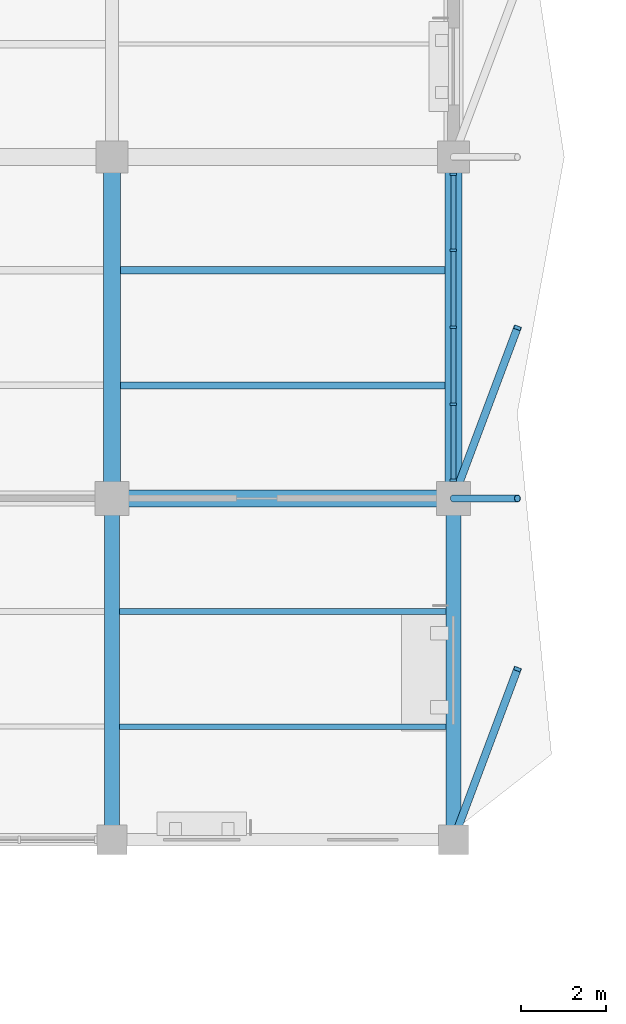
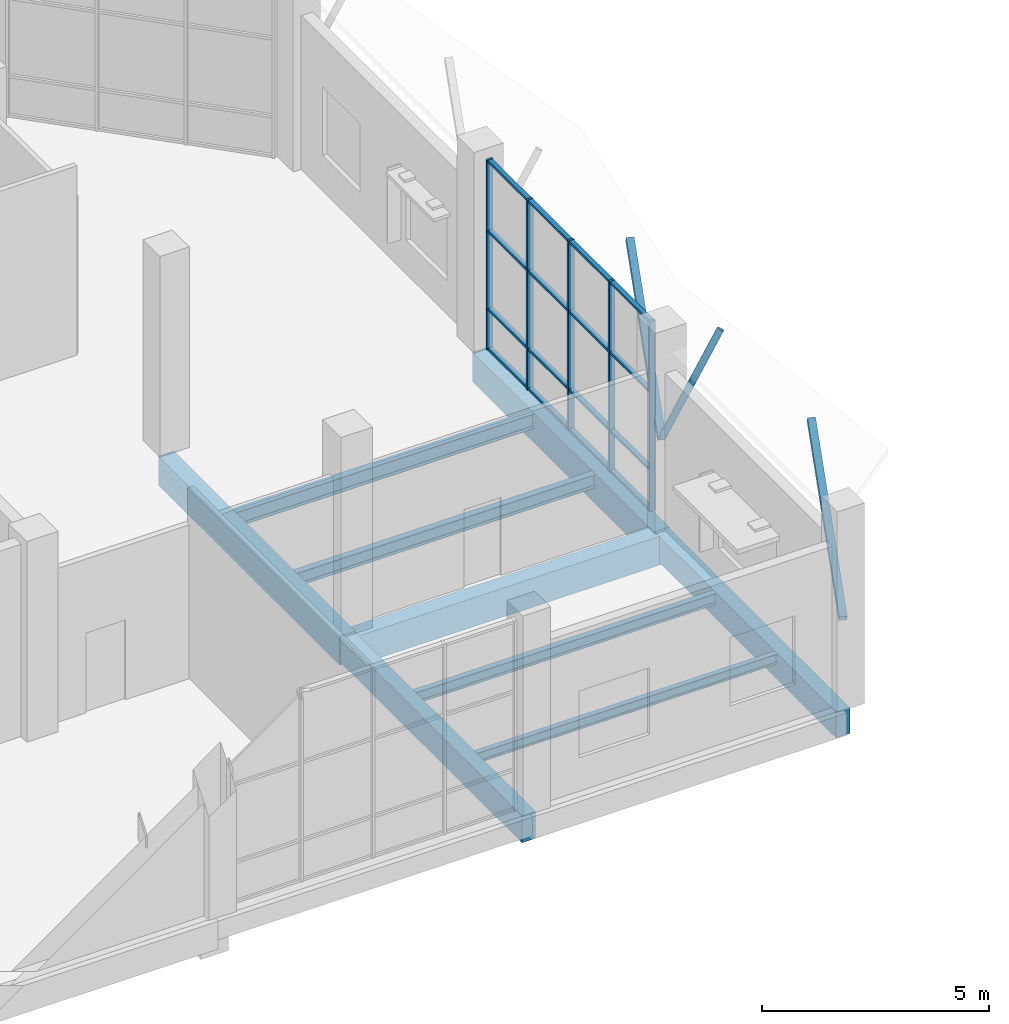
# One storey, part 41 of 122: 24 members, 9 beams, 1 element without a shape of its own.
"""IFC4 building model written with IfcOpenShell, lengths in metres."""

from ifc_helpers import new_model, si_unit, direction, frame, origin, origin_2d, place, context, subcontext, project, spatial, rectangle, hollow_rectangle, hollow_circle, i_section, extrude, material, material_profile, profile_set, type_object, element, aggregate, save


model = new_model("IFC4")

# Units and contexts
model_context = context("Model", 3, precision=1e-05, world=origin(), true_north=direction((0.0, 1.0)))
body_context = subcontext(model_context, "Body", "Model", "MODEL_VIEW")
ifc_project = project(units=[si_unit("LENGTHUNIT", "METRE"), si_unit("AREAUNIT", "SQUARE_METRE"), si_unit("VOLUMEUNIT", "CUBIC_METRE"), si_unit("PLANEANGLEUNIT", "RADIAN"), si_unit("MASSUNIT", "GRAM", prefix="KILO")], contexts=[model_context])

# Site, building, storey
site_placement = place(None, origin())
site = spatial("IfcSite", under=ifc_project, at=site_placement, CompositionType="ELEMENT")
building_placement = place(site_placement, origin())
building = spatial("IfcBuilding", under=site, at=building_placement, Name="Tenunan Teduh Sports Hall", CompositionType="ELEMENT")
storey_placement = place(building_placement, frame((0.0, 0.0, 5.39990234375)))
storey = spatial("IfcBuildingStorey", under=building, at=storey_placement, Name="L01", CompositionType="ELEMENT", Elevation=5.39990234375)

# Beams
ifc_material_1 = material(Name="Concrete C40/50", Category="concrete")
ifc_material_profile_1 = material_profile(ifc_material_1, rectangle(XDim=0.35009765625, YDim=0.699951171875, at=origin_2d()), Name="RCB 350x700")
ifc_profile_set_1 = profile_set([ifc_material_profile_1], Name="Concrete C40/50")
beam_type_1 = type_object("IfcBeamType", Name="BM-RC-350x700", PredefinedType="BEAM", material=ifc_profile_set_1)
beam_1_placement = place(storey_placement, frame((78.0, 86.0, -0.60986328125), z_axis=(0.0, 1.0, 0.0), x_axis=(-1.0, 0.0, 0.0)))
element("IfcBeam", 1, at=beam_1_placement, inside=storey, type_object=beam_type_1, Name="BM-B-06-L01-1243", PredefinedType="BEAM", context=body_context, shape_type="SweptSolid", body=[
    extrude(rectangle(XDim=0.35009765625, YDim=0.699951171875, at=origin_2d()), origin(), (0.0, 0.0, 1.0), 8.0),
])
ifc_material_2 = material(Name="Concrete C40/50", Category="concrete")
ifc_material_profile_2 = material_profile(ifc_material_2, rectangle(XDim=0.39990234375, YDim=0.800048828125, at=origin_2d()), Name="RCB 400x800")
ifc_profile_set_2 = profile_set([ifc_material_profile_2], Name="Concrete C40/50")
beam_type_2 = type_object("IfcBeamType", Name="BM-RC-400x800", PredefinedType="BEAM", material=ifc_profile_set_2)
beam_2_placement = place(storey_placement, frame((78.0, 94.0, -0.659912109375), z_axis=(0.0, 1.0, 0.0), x_axis=(-1.0, 0.0, 0.0)))
element("IfcBeam", 2, at=beam_2_placement, inside=storey, type_object=beam_type_2, Name="BM-B-10-L01-1244", PredefinedType="BEAM", context=body_context, shape_type="SweptSolid", body=[
    extrude(rectangle(XDim=0.39990234375, YDim=0.800048828125, at=origin_2d()), origin(), (0.0, 0.0, 1.0), 8.0),
])
ifc_material_3 = material(Name="Concrete C40/50", Category="concrete")
ifc_material_profile_3 = material_profile(ifc_material_3, rectangle(XDim=0.35009765625, YDim=0.719970703125, at=origin_2d()), Name="TB 350x720")
ifc_profile_set_3 = profile_set([ifc_material_profile_3], Name="Concrete C40/50")
beam_type_3 = type_object("IfcBeamType", Name="BM-TB-350x720", PredefinedType="T_BEAM", material=ifc_profile_set_3)
beam_3_placement = place(storey_placement, frame((70.0, 86.0, -0.619873046875), z_axis=(0.0, 1.0, 0.0), x_axis=(-1.0, 0.0, 0.0)))
element("IfcBeam", 3, at=beam_3_placement, inside=storey, type_object=beam_type_3, Name="BM-TB-01-L01-1235", PredefinedType="T_BEAM", context=body_context, shape_type="SweptSolid", body=[
    extrude(rectangle(XDim=0.35009765625, YDim=0.719970703125, at=origin_2d()), origin(), (0.0, 0.0, 1.0), 8.0),
])
ifc_material_4 = material(Name="Concrete C40/50", Category="concrete")
ifc_material_profile_4 = material_profile(ifc_material_4, rectangle(XDim=0.39990234375, YDim=0.780029296875, at=origin_2d()), Name="TB 400x780")
ifc_profile_set_4 = profile_set([ifc_material_profile_4], Name="Concrete C40/50")
beam_type_4 = type_object("IfcBeamType", Name="BM-TB-400x780", PredefinedType="T_BEAM", material=ifc_profile_set_4)
for number, where, z_axis, x_axis, name in (
    (4, (70.0, 94.0, -0.64990234375), (1.0, 0.0, 0.0), (0.0, 1.0, 0.0), "BM-TB-02-L01-1129"),
    (5, (70.0, 94.0, -0.64990234375), (0.0, 1.0, 0.0), (-1.0, 0.0, 0.0), "BM-TB-02-L01-1236"),
):
    element("IfcBeam", number, at=place(storey_placement, frame(where, z_axis=z_axis, x_axis=x_axis)), inside=storey, type_object=beam_type_4, Name=name, PredefinedType="T_BEAM", context=body_context, shape_type="SweptSolid", body=[
        extrude(rectangle(XDim=0.39990234375, YDim=0.780029296875, at=origin_2d()), origin(), (0.0, 0.0, 1.0), 8.0),
    ])

# Curtain wall, members
ifc_material_5 = material(Name="Anodised aluminium", Category="aluminium")
curtain_wall_type = type_object("IfcCurtainWallType", Name="CW-UNIT-1", PredefinedType="NOTDEFINED", material=ifc_material_5)
curtain_wall_placement = place(storey_placement, origin())
curtain_wall = element("IfcCurtainWall", 6, at=curtain_wall_placement, inside=storey, type_object=curtain_wall_type, Name="CW-CWM-150-L01-203", PredefinedType="NOTDEFINED")
ifc_material_6 = material(Name="Anodised aluminium", Category="aluminium")
ifc_material_profile_5 = material_profile(ifc_material_6, rectangle(XDim=0.06005859375, YDim=0.14990234375, at=origin_2d()), Name="CWM 60x150")
ifc_profile_set_5 = profile_set([ifc_material_profile_5], Name="Anodised aluminium")
member_type_1 = type_object("IfcMemberType", Name="CWM-150", PredefinedType="MULLION", material=ifc_profile_set_5)
member_1_placement = place(storey_placement, frame((78.0, 94.429931640625, 0.0), z_axis=(0.0, 0.0, 1.0), x_axis=(0.0, 1.0, 0.0)))
member_1 = element("IfcMember", 7, at=member_1_placement, type_object=member_type_1, Name="CW-01 mullion 1", PredefinedType="MULLION", context=body_context, shape_type="SweptSolid", body=[
    extrude(rectangle(XDim=0.06005859375, YDim=0.14990234375, at=origin_2d()), origin(), (0.0, 0.0, 1.0), 5.1201171875),
])
member_2_placement = place(storey_placement, frame((78.0, 96.206298828125, 0.0), z_axis=(0.0, 0.0, 1.0), x_axis=(0.0, 1.0, 0.0)))
member_2 = element("IfcMember", 8, at=member_2_placement, type_object=member_type_1, Name="CW-01 mullion 2", PredefinedType="MULLION", context=body_context, shape_type="SweptSolid", body=[
    extrude(rectangle(XDim=0.06005859375, YDim=0.14990234375, at=origin_2d()), origin(), (0.0, 0.0, 1.0), 5.1201171875),
])
member_3_placement = place(storey_placement, frame((78.0, 98.012451171875, 0.0), z_axis=(0.0, 0.0, 1.0), x_axis=(0.0, 1.0, 0.0)))
member_3 = element("IfcMember", 9, at=member_3_placement, type_object=member_type_1, Name="CW-01 mullion 3", PredefinedType="MULLION", context=body_context, shape_type="SweptSolid", body=[
    extrude(rectangle(XDim=0.06005859375, YDim=0.14990234375, at=origin_2d()), origin(), (0.0, 0.0, 1.0), 5.1201171875),
])
member_4_placement = place(storey_placement, frame((78.0, 99.81884765625, 0.0), z_axis=(0.0, 0.0, 1.0), x_axis=(0.0, 1.0, 0.0)))
member_4 = element("IfcMember", 10, at=member_4_placement, type_object=member_type_1, Name="CW-01 mullion 4", PredefinedType="MULLION", context=body_context, shape_type="SweptSolid", body=[
    extrude(rectangle(XDim=0.06005859375, YDim=0.14990234375, at=origin_2d()), origin(), (0.0, 0.0, 1.0), 5.1201171875),
])
member_5_placement = place(storey_placement, frame((78.0, 101.594970703125, 0.0), z_axis=(0.0, 0.0, 1.0), x_axis=(0.0, 1.0, 0.0)))
member_5 = element("IfcMember", 11, at=member_5_placement, type_object=member_type_1, Name="CW-01 mullion 5", PredefinedType="MULLION", context=body_context, shape_type="SweptSolid", body=[
    extrude(rectangle(XDim=0.06005859375, YDim=0.14990234375, at=origin_2d()), origin(), (0.0, 0.0, 1.0), 5.1201171875),
])
ifc_material_7 = material(Name="Anodised aluminium", Category="aluminium")
ifc_material_profile_6 = material_profile(ifc_material_7, rectangle(XDim=0.06005859375, YDim=0.1201171875, at=origin_2d()), Name="CWT 60x120")
ifc_profile_set_6 = profile_set([ifc_material_profile_6], Name="Anodised aluminium")
member_type_2 = type_object("IfcMemberType", Name="CWT-125", PredefinedType="USERDEFINED", material=ifc_profile_set_6)
member_6_placement = place(storey_placement, frame((78.0, 94.4599609375, 0.030029296875), z_axis=(0.0, 1.0, 0.0), x_axis=(0.0, 0.0, 1.0)))
member_6 = element("IfcMember", 12, at=member_6_placement, type_object=member_type_2, Name="CW-01 transom 1.1", ObjectType="TRANSOM", PredefinedType="USERDEFINED", context=body_context, shape_type="SweptSolid", body=[
    extrude(rectangle(XDim=0.06005859375, YDim=0.1201171875, at=origin_2d()), origin(), (0.0, 0.0, 1.0), 1.71630859375),
])
member_7_placement = place(storey_placement, frame((78.0, 94.4599609375, 1.10009765625), z_axis=(0.0, 1.0, 0.0), x_axis=(0.0, 0.0, 1.0)))
member_7 = element("IfcMember", 13, at=member_7_placement, type_object=member_type_2, Name="CW-01 transom 1.2", ObjectType="TRANSOM", PredefinedType="USERDEFINED", context=body_context, shape_type="SweptSolid", body=[
    extrude(rectangle(XDim=0.06005859375, YDim=0.1201171875, at=origin_2d()), origin(), (0.0, 0.0, 1.0), 1.71630859375),
])
member_8_placement = place(storey_placement, frame((78.0, 94.4599609375, 3.2001953125), z_axis=(0.0, 1.0, 0.0), x_axis=(0.0, 0.0, 1.0)))
member_8 = element("IfcMember", 14, at=member_8_placement, type_object=member_type_2, Name="CW-01 transom 1.3", ObjectType="TRANSOM", PredefinedType="USERDEFINED", context=body_context, shape_type="SweptSolid", body=[
    extrude(rectangle(XDim=0.06005859375, YDim=0.1201171875, at=origin_2d()), origin(), (0.0, 0.0, 1.0), 1.71630859375),
])
member_9_placement = place(storey_placement, frame((78.0, 94.4599609375, 5.090087890625), z_axis=(0.0, 1.0, 0.0), x_axis=(0.0, 0.0, 1.0)))
member_9 = element("IfcMember", 15, at=member_9_placement, type_object=member_type_2, Name="CW-01 transom 1.4", ObjectType="TRANSOM", PredefinedType="USERDEFINED", context=body_context, shape_type="SweptSolid", body=[
    extrude(rectangle(XDim=0.06005859375, YDim=0.1201171875, at=origin_2d()), origin(), (0.0, 0.0, 1.0), 1.71630859375),
])
member_10_placement = place(storey_placement, frame((78.0, 96.236328125, 0.030029296875), z_axis=(0.0, 1.0, 0.0), x_axis=(0.0, 0.0, 1.0)))
member_10 = element("IfcMember", 16, at=member_10_placement, type_object=member_type_2, Name="CW-01 transom 2.1", ObjectType="TRANSOM", PredefinedType="USERDEFINED", context=body_context, shape_type="SweptSolid", body=[
    extrude(rectangle(XDim=0.06005859375, YDim=0.1201171875, at=origin_2d()), origin(), (0.0, 0.0, 1.0), 1.74609375),
])
member_11_placement = place(storey_placement, frame((78.0, 96.236328125, 1.10009765625), z_axis=(0.0, 1.0, 0.0), x_axis=(0.0, 0.0, 1.0)))
member_11 = element("IfcMember", 17, at=member_11_placement, type_object=member_type_2, Name="CW-01 transom 2.2", ObjectType="TRANSOM", PredefinedType="USERDEFINED", context=body_context, shape_type="SweptSolid", body=[
    extrude(rectangle(XDim=0.06005859375, YDim=0.1201171875, at=origin_2d()), origin(), (0.0, 0.0, 1.0), 1.74609375),
])
member_12_placement = place(storey_placement, frame((78.0, 96.236328125, 3.2001953125), z_axis=(0.0, 1.0, 0.0), x_axis=(0.0, 0.0, 1.0)))
member_12 = element("IfcMember", 18, at=member_12_placement, type_object=member_type_2, Name="CW-01 transom 2.3", ObjectType="TRANSOM", PredefinedType="USERDEFINED", context=body_context, shape_type="SweptSolid", body=[
    extrude(rectangle(XDim=0.06005859375, YDim=0.1201171875, at=origin_2d()), origin(), (0.0, 0.0, 1.0), 1.74609375),
])
member_13_placement = place(storey_placement, frame((78.0, 96.236328125, 5.090087890625), z_axis=(0.0, 1.0, 0.0), x_axis=(0.0, 0.0, 1.0)))
member_13 = element("IfcMember", 19, at=member_13_placement, type_object=member_type_2, Name="CW-01 transom 2.4", ObjectType="TRANSOM", PredefinedType="USERDEFINED", context=body_context, shape_type="SweptSolid", body=[
    extrude(rectangle(XDim=0.06005859375, YDim=0.1201171875, at=origin_2d()), origin(), (0.0, 0.0, 1.0), 1.74609375),
])
member_14_placement = place(storey_placement, frame((78.0, 98.04248046875, 0.030029296875), z_axis=(0.0, 1.0, 0.0), x_axis=(0.0, 0.0, 1.0)))
member_14 = element("IfcMember", 20, at=member_14_placement, type_object=member_type_2, Name="CW-01 transom 3.1", ObjectType="TRANSOM", PredefinedType="USERDEFINED", context=body_context, shape_type="SweptSolid", body=[
    extrude(rectangle(XDim=0.06005859375, YDim=0.1201171875, at=origin_2d()), origin(), (0.0, 0.0, 1.0), 1.746337890625),
])
member_15_placement = place(storey_placement, frame((78.0, 98.04248046875, 1.10009765625), z_axis=(0.0, 1.0, 0.0), x_axis=(0.0, 0.0, 1.0)))
member_15 = element("IfcMember", 21, at=member_15_placement, type_object=member_type_2, Name="CW-01 transom 3.2", ObjectType="TRANSOM", PredefinedType="USERDEFINED", context=body_context, shape_type="SweptSolid", body=[
    extrude(rectangle(XDim=0.06005859375, YDim=0.1201171875, at=origin_2d()), origin(), (0.0, 0.0, 1.0), 1.746337890625),
])
member_16_placement = place(storey_placement, frame((78.0, 98.04248046875, 3.2001953125), z_axis=(0.0, 1.0, 0.0), x_axis=(0.0, 0.0, 1.0)))
member_16 = element("IfcMember", 22, at=member_16_placement, type_object=member_type_2, Name="CW-01 transom 3.3", ObjectType="TRANSOM", PredefinedType="USERDEFINED", context=body_context, shape_type="SweptSolid", body=[
    extrude(rectangle(XDim=0.06005859375, YDim=0.1201171875, at=origin_2d()), origin(), (0.0, 0.0, 1.0), 1.746337890625),
])
member_17_placement = place(storey_placement, frame((78.0, 98.04248046875, 5.090087890625), z_axis=(0.0, 1.0, 0.0), x_axis=(0.0, 0.0, 1.0)))
member_17 = element("IfcMember", 23, at=member_17_placement, type_object=member_type_2, Name="CW-01 transom 3.4", ObjectType="TRANSOM", PredefinedType="USERDEFINED", context=body_context, shape_type="SweptSolid", body=[
    extrude(rectangle(XDim=0.06005859375, YDim=0.1201171875, at=origin_2d()), origin(), (0.0, 0.0, 1.0), 1.746337890625),
])
member_18_placement = place(storey_placement, frame((78.0, 99.8486328125, 0.030029296875), z_axis=(0.0, 1.0, 0.0), x_axis=(0.0, 0.0, 1.0)))
member_18 = element("IfcMember", 24, at=member_18_placement, type_object=member_type_2, Name="CW-01 transom 4.1", ObjectType="TRANSOM", PredefinedType="USERDEFINED", context=body_context, shape_type="SweptSolid", body=[
    extrude(rectangle(XDim=0.06005859375, YDim=0.1201171875, at=origin_2d()), origin(), (0.0, 0.0, 1.0), 1.71630859375),
])
member_19_placement = place(storey_placement, frame((78.0, 99.8486328125, 1.10009765625), z_axis=(0.0, 1.0, 0.0), x_axis=(0.0, 0.0, 1.0)))
member_19 = element("IfcMember", 25, at=member_19_placement, type_object=member_type_2, Name="CW-01 transom 4.2", ObjectType="TRANSOM", PredefinedType="USERDEFINED", context=body_context, shape_type="SweptSolid", body=[
    extrude(rectangle(XDim=0.06005859375, YDim=0.1201171875, at=origin_2d()), origin(), (0.0, 0.0, 1.0), 1.71630859375),
])
member_20_placement = place(storey_placement, frame((78.0, 99.8486328125, 3.2001953125), z_axis=(0.0, 1.0, 0.0), x_axis=(0.0, 0.0, 1.0)))
member_20 = element("IfcMember", 26, at=member_20_placement, type_object=member_type_2, Name="CW-01 transom 4.3", ObjectType="TRANSOM", PredefinedType="USERDEFINED", context=body_context, shape_type="SweptSolid", body=[
    extrude(rectangle(XDim=0.06005859375, YDim=0.1201171875, at=origin_2d()), origin(), (0.0, 0.0, 1.0), 1.71630859375),
])
member_21_placement = place(storey_placement, frame((78.0, 99.8486328125, 5.090087890625), z_axis=(0.0, 1.0, 0.0), x_axis=(0.0, 0.0, 1.0)))
member_21 = element("IfcMember", 27, at=member_21_placement, type_object=member_type_2, Name="CW-01 transom 4.4", ObjectType="TRANSOM", PredefinedType="USERDEFINED", context=body_context, shape_type="SweptSolid", body=[
    extrude(rectangle(XDim=0.06005859375, YDim=0.1201171875, at=origin_2d()), origin(), (0.0, 0.0, 1.0), 1.71630859375),
])
aggregate(curtain_wall, [member_1, member_2, member_3, member_4, member_5, member_6, member_7, member_8, member_9, member_10, member_11, member_12, member_13, member_14, member_15, member_16, member_17, member_18, member_19, member_20, member_21])

# Beams
ifc_material_8 = material(Name="Steel S355", Category="steel")
ifc_material_profile_7 = material_profile(ifc_material_8, i_section(OverallWidth=0.135009765625, OverallDepth=0.27001953125, WebThickness=0.006591796875, FlangeThickness=0.01025390625, FilletRadius=0.014892578125, at=origin_2d()), Name="IPE 270")
ifc_profile_set_7 = profile_set([ifc_material_profile_7], Name="Steel S355")
beam_type_5 = type_object("IfcBeamType", Name="JST-IPE270", PredefinedType="JOIST", material=ifc_profile_set_7)
beam_4_placement = place(storey_placement, frame((70.175048828125, 88.64990234375, -0.39501953125), z_axis=(1.0, 0.0, 0.0), x_axis=(0.0, 1.0, 0.0)))
element("IfcBeam", 28, at=beam_4_placement, inside=storey, type_object=beam_type_5, Name="BM-J-03-L01-1376", PredefinedType="JOIST", context=body_context, shape_type="SweptSolid", body=[
    extrude(i_section(OverallWidth=0.135009765625, OverallDepth=0.27001953125, WebThickness=0.006591796875, FlangeThickness=0.01025390625, FilletRadius=0.014892578125, at=origin_2d()), origin(), (0.0, 0.0, 1.0), 7.64990234375),
])
ifc_material_9 = material(Name="Steel S355", Category="steel")
ifc_material_profile_8 = material_profile(ifc_material_9, i_section(OverallWidth=0.14990234375, OverallDepth=0.300048828125, WebThickness=0.007080078125, FlangeThickness=0.0107421875, FilletRadius=0.014892578125, at=origin_2d()), Name="IPE 300")
ifc_profile_set_8 = profile_set([ifc_material_profile_8], Name="Steel S355")
beam_type_6 = type_object("IfcBeamType", Name="JST-IPE300", PredefinedType="JOIST", material=ifc_profile_set_8)
beam_5_placement = place(storey_placement, frame((70.175048828125, 91.35009765625, -0.409912109375), z_axis=(1.0, 0.0, 0.0), x_axis=(0.0, 1.0, 0.0)))
element("IfcBeam", 29, at=beam_5_placement, inside=storey, type_object=beam_type_6, Name="BM-J-04-L01-1377", PredefinedType="JOIST", context=body_context, shape_type="SweptSolid", body=[
    extrude(i_section(OverallWidth=0.14990234375, OverallDepth=0.300048828125, WebThickness=0.007080078125, FlangeThickness=0.0107421875, FilletRadius=0.014892578125, at=origin_2d()), origin(), (0.0, 0.0, 1.0), 7.64990234375),
])
ifc_material_10 = material(Name="Steel S355", Category="steel")
ifc_material_profile_9 = material_profile(ifc_material_10, i_section(OverallWidth=0.169921875, OverallDepth=0.360107421875, WebThickness=0.008056640625, FlangeThickness=0.0126953125, FilletRadius=0.01806640625, at=origin_2d()), Name="IPE 360")
ifc_profile_set_9 = profile_set([ifc_material_profile_9], Name="Steel S355")
beam_type_7 = type_object("IfcBeamType", Name="JST-IPE360", PredefinedType="JOIST", material=ifc_profile_set_9)
beam_6_placement = place(storey_placement, frame((70.199951171875, 96.64990234375, -0.43994140625), z_axis=(1.0, 0.0, 0.0), x_axis=(0.0, 1.0, 0.0)))
element("IfcBeam", 30, at=beam_6_placement, inside=storey, type_object=beam_type_7, Name="BM-J-05-L01-1378", PredefinedType="JOIST", context=body_context, shape_type="SweptSolid", body=[
    extrude(i_section(OverallWidth=0.169921875, OverallDepth=0.360107421875, WebThickness=0.008056640625, FlangeThickness=0.0126953125, FilletRadius=0.01806640625, at=origin_2d()), origin(), (0.0, 0.0, 1.0), 7.60009765625),
])
ifc_material_11 = material(Name="Steel S355", Category="steel")
ifc_material_profile_10 = material_profile(ifc_material_11, i_section(OverallWidth=0.179931640625, OverallDepth=0.39990234375, WebThickness=0.008544921875, FlangeThickness=0.013427734375, FilletRadius=0.02099609375, at=origin_2d()), Name="IPE 400")
ifc_profile_set_10 = profile_set([ifc_material_profile_10], Name="Steel S355")
beam_type_8 = type_object("IfcBeamType", Name="JST-IPE400", PredefinedType="JOIST", material=ifc_profile_set_10)
beam_7_placement = place(storey_placement, frame((70.199951171875, 99.35009765625, -0.4599609375), z_axis=(1.0, 0.0, 0.0), x_axis=(0.0, 1.0, 0.0)))
element("IfcBeam", 31, at=beam_7_placement, inside=storey, type_object=beam_type_8, Name="BM-J-06-L01-1379", PredefinedType="JOIST", context=body_context, shape_type="SweptSolid", body=[
    extrude(i_section(OverallWidth=0.179931640625, OverallDepth=0.39990234375, WebThickness=0.008544921875, FlangeThickness=0.013427734375, FilletRadius=0.02099609375, at=origin_2d()), origin(), (0.0, 0.0, 1.0), 7.60009765625),
])

# Members
ifc_material_12 = material(Name="Steel S355", Category="steel")
ifc_material_profile_11 = material_profile(ifc_material_12, hollow_circle(Radius=0.084228515625, WallThickness=0.008056640625, at=origin_2d()), Name="CHS 168.3x8.0")
ifc_profile_set_11 = profile_set([ifc_material_profile_11], Name="Steel S355")
member_type_3 = type_object("IfcMemberType", Name="MEM-BR-CHS168", PredefinedType="BRACE", material=ifc_profile_set_11)
member_22_placement = place(storey_placement, frame((78.0, 94.0, 2.2001953125), z_axis=(0.526850471667, 0.0, 0.849957987494), x_axis=(0.0, 1.0, 0.0)))
element("IfcMember", 32, at=member_22_placement, inside=storey, type_object=member_type_3, Name="MEM-GD-04-L01-1207", PredefinedType="BRACE", context=body_context, shape_type="SweptSolid", body=[
    extrude(hollow_circle(Radius=0.084228515625, WallThickness=0.008056640625, at=origin_2d()), origin(), (0.0, 0.0, 1.0), 2.84716796875),
])
ifc_material_13 = material(Name="Steel S355", Category="steel")
ifc_material_profile_12 = material_profile(ifc_material_13, hollow_rectangle(XDim=0.179931640625, YDim=0.179931640625, WallThickness=0.010009765625, at=origin_2d()), Name="SHS 180x180x10.0")
ifc_profile_set_12 = profile_set([ifc_material_profile_12], Name="Steel S355")
member_type_4 = type_object("IfcMemberType", Name="MEM-ST-SHS180", PredefinedType="STRUT", material=ifc_profile_set_12)
for number, where, z_axis, x_axis, name in (
    (33, (78.0, 86.0, 2.2001953125), (0.305512149532, 0.814699065418, 0.492877022487), (-0.936329177569, 0.351123441588, 0.0), "MEM-VS-03-L01-1206"),
    (34, (78.0, 94.0, 2.2001953125), (0.305512149532, 0.814699065418, 0.492877022487), (-0.936329177569, 0.351123441588, 0.0), "MEM-VS-03-L01-1208"),
):
    element("IfcMember", number, at=place(storey_placement, frame(where, z_axis=z_axis, x_axis=x_axis)), inside=storey, type_object=member_type_4, Name=name, PredefinedType="STRUT", context=body_context, shape_type="SweptSolid", body=[
        extrude(hollow_rectangle(XDim=0.179931640625, YDim=0.179931640625, WallThickness=0.010009765625, at=origin_2d()), origin(), (0.0, 0.0, 1.0), 4.90966796875),
    ])

save(model, "model.ifc")
